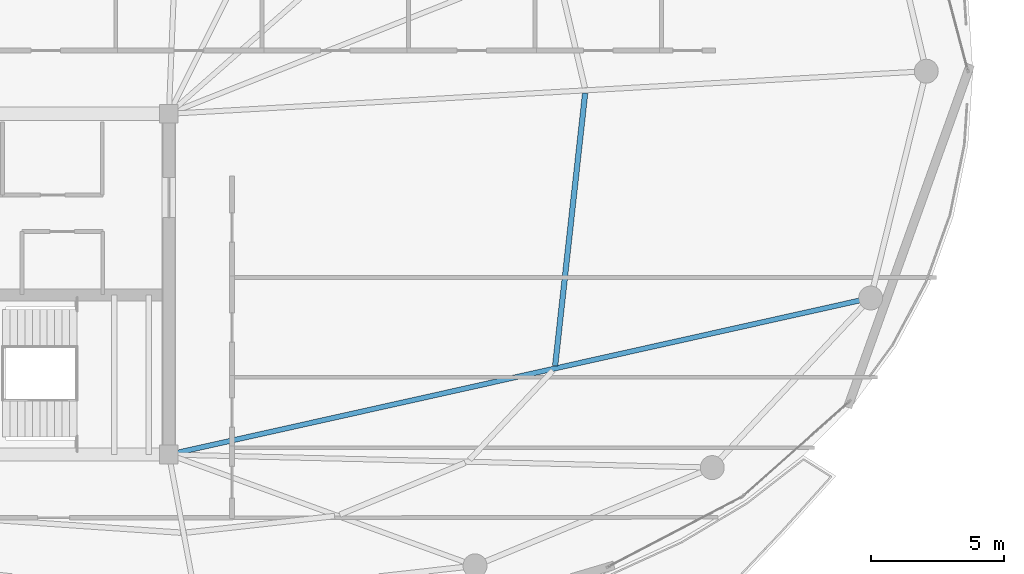
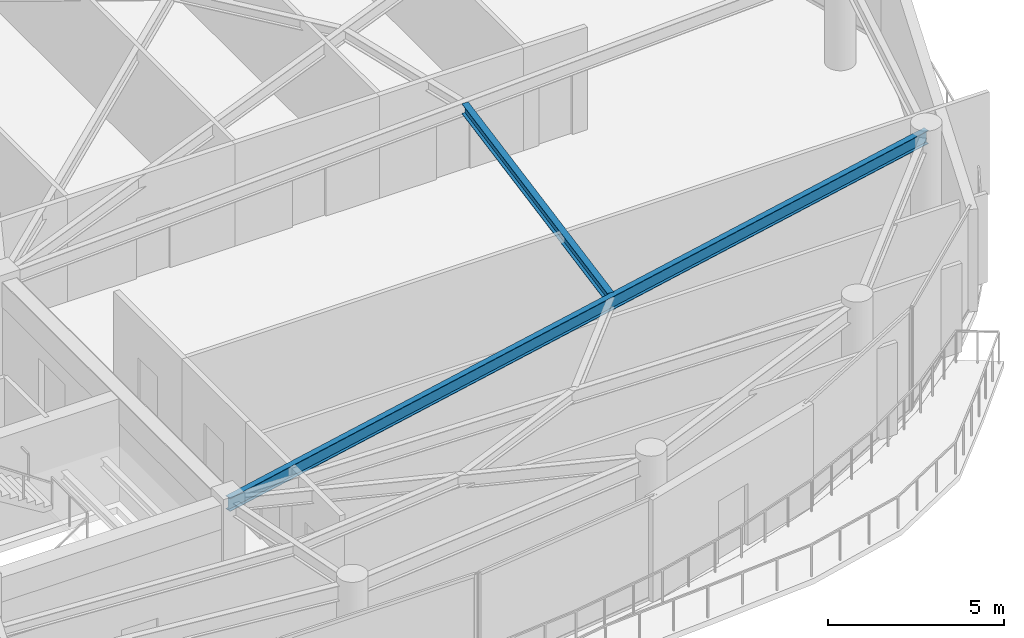
# One storey, part 14 of 29: 2 beams.
"""IFC4 building model written with IfcOpenShell, lengths in metres."""

from ifc_helpers import new_model, si_unit, direction, frame, origin, origin_2d, place, context, subcontext, project, spatial, i_section, extrude, material, material_profile, profile_set, type_object, element, save


model = new_model("IFC4")

# Units and contexts
model_context = context("Model", 3, precision=1e-05, world=origin(), true_north=direction((0.0, 1.0)))
body_context = subcontext(model_context, "Body", "Model", "MODEL_VIEW")
ifc_project = project(units=[si_unit("LENGTHUNIT", "METRE"), si_unit("AREAUNIT", "SQUARE_METRE"), si_unit("VOLUMEUNIT", "CUBIC_METRE"), si_unit("PLANEANGLEUNIT", "RADIAN"), si_unit("MASSUNIT", "GRAM", prefix="KILO")], contexts=[model_context])

# Site, building, storey
site_placement = place(None, origin())
site = spatial("IfcSite", under=ifc_project, at=site_placement, CompositionType="ELEMENT")
building_placement = place(site_placement, origin())
building = spatial("IfcBuilding", under=site, at=building_placement, Name="Kazevale Care Tower and Concert Hall", CompositionType="ELEMENT")
storey_placement = place(building_placement, frame((0.0, 0.0, 285.199951171875)))
storey = spatial("IfcBuildingStorey", under=building, at=storey_placement, Name="L75", CompositionType="ELEMENT", Elevation=285.199951171875)

# Beams
ifc_material = material(Name="Steel ASTM A572 Gr 50", Category="steel")
ifc_material_profile_1 = material_profile(ifc_material, i_section(OverallWidth=0.19091796875, OverallDepth=0.4599609375, WebThickness=0.010009765625, FlangeThickness=0.01611328125, at=origin_2d()), Name="W460x82")
ifc_profile_set_1 = profile_set([ifc_material_profile_1], Name="Steel ASTM A572 Gr 50")
beam_type_1 = type_object("IfcBeamType", Name="Radial Floor Beam W460x82", PredefinedType="BEAM", material=ifc_profile_set_1)
beam_1_placement = place(storey_placement, frame((44.0, 23.60009765625, 3.330078125), z_axis=(0.976013614534, 0.217709495072, 0.0), x_axis=(-0.217709495072, 0.976013614534, 0.0)))
element("IfcBeam", 1, at=beam_1_placement, inside=storey, type_object=beam_type_1, Name="beam:L75:rad:16", PredefinedType="BEAM", context=body_context, shape_type="SweptSolid", body=[
    extrude(i_section(OverallWidth=0.19091796875, OverallDepth=0.4599609375, WebThickness=0.010009765625, FlangeThickness=0.01611328125, at=origin_2d()), origin(), (0.0, 0.0, 1.0), 27.0078125),
])
ifc_material_profile_2 = material_profile(ifc_material, i_section(OverallWidth=0.205078125, OverallDepth=0.35400390625, WebThickness=0.009521484375, FlangeThickness=0.016845703125, at=origin_2d()), Name="W360x79")
ifc_profile_set_2 = profile_set([ifc_material_profile_2], Name="Steel ASTM A572 Gr 50")
beam_type_2 = type_object("IfcBeamType", Name="Secondary Floor Joist W360x79", PredefinedType="JOIST", material=ifc_profile_set_2)
beam_2_placement = place(storey_placement, frame((58.509033203125, 26.93798828125, 3.383056640625), z_axis=(0.109414251474, 0.993996238209, 0.0), x_axis=(-0.993996238209, 0.109414251474, 0.0)))
element("IfcBeam", 2, at=beam_2_placement, inside=storey, type_object=beam_type_2, Name="beam:L75:joist:16", PredefinedType="JOIST", context=body_context, shape_type="SweptSolid", body=[
    extrude(i_section(OverallWidth=0.205078125, OverallDepth=0.35400390625, WebThickness=0.009521484375, FlangeThickness=0.016845703125, at=origin_2d()), origin(), (0.0, 0.0, 1.0), 10.2998046875),
])

save(model, "model.ifc")
